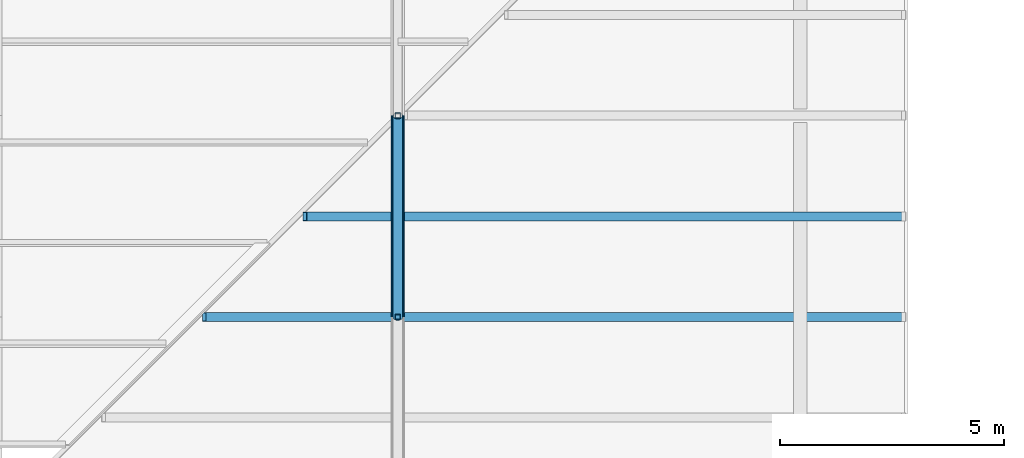
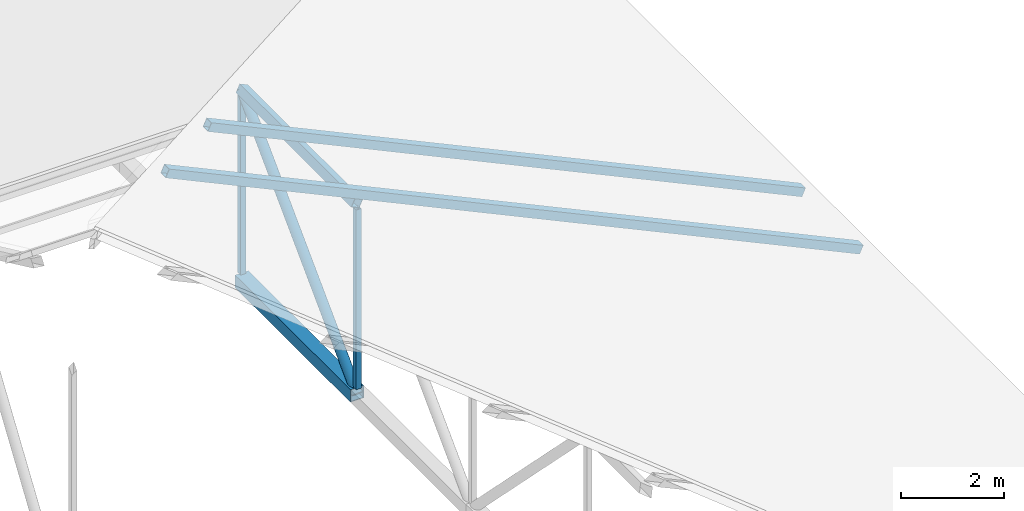
# One storey, part 74 of 154: 7 members.
"""IFC4 building model written with IfcOpenShell, lengths in metres."""

from ifc_helpers import new_model, si_unit, direction, frame, origin, origin_2d, place, context, subcontext, project, spatial, hollow_rectangle, hollow_circle, extrude, material, material_profile, profile_set, type_object, element, save


model = new_model("IFC4")

# Units and contexts
model_context = context("Model", 3, precision=1e-05, world=origin(), true_north=direction((0.0, 1.0)))
body_context = subcontext(model_context, "Body", "Model", "MODEL_VIEW")
ifc_project = project(units=[si_unit("LENGTHUNIT", "METRE"), si_unit("AREAUNIT", "SQUARE_METRE"), si_unit("VOLUMEUNIT", "CUBIC_METRE"), si_unit("PLANEANGLEUNIT", "RADIAN"), si_unit("MASSUNIT", "GRAM", prefix="KILO")], contexts=[model_context])

# Site, building, storey
site_placement = place(None, origin())
site = spatial("IfcSite", under=ifc_project, at=site_placement, CompositionType="ELEMENT")
building_placement = place(site_placement, origin())
building = spatial("IfcBuilding", under=site, at=building_placement, Name="Golden Quay Civic Hall", CompositionType="ELEMENT")
storey_placement = place(building_placement, frame((0.0, 0.0, 14.39990234375)))
storey = spatial("IfcBuildingStorey", under=building, at=storey_placement, Name="L03", CompositionType="ELEMENT", Elevation=14.39990234375)

# Members
ifc_material_1 = material(Name="Steel S355", Category="steel")
ifc_material_profile_1 = material_profile(ifc_material_1, hollow_rectangle(XDim=0.199951171875, YDim=0.199951171875, WallThickness=0.010009765625, at=origin_2d()), Name="SHS 200x200x10")
ifc_profile_set_1 = profile_set([ifc_material_profile_1], Name="Steel S355")
member_type_1 = type_object("IfcMemberType", Name="Steel jack rafter SHS 200x200x10", PredefinedType="RAFTER", material=ifc_profile_set_1)
member_1_placement = place(storey_placement, frame((173.300048828125, 85.5, -0.56787109375), z_axis=(-0.906311530238, 0.0, 0.422610234326), x_axis=(0.0, -1.0, 0.0)))
element("IfcMember", 1, at=member_1_placement, inside=storey, type_object=member_type_1, Name="Jack rafter east 10 L03", PredefinedType="RAFTER", context=body_context, shape_type="SweptSolid", body=[
    extrude(hollow_rectangle(XDim=0.199951171875, YDim=0.199951171875, WallThickness=0.010009765625, at=origin_2d()), origin(), (0.0, 0.0, 1.0), 17.240234375),
])
member_2_placement = place(storey_placement, frame((173.300048828125, 87.75, -0.56787109375), z_axis=(-0.906309046368, 0.0, 0.422615561086), x_axis=(0.0, -1.0, 0.0)))
element("IfcMember", 2, at=member_2_placement, inside=storey, type_object=member_type_1, Name="Jack rafter east 11 L03", PredefinedType="RAFTER", context=body_context, shape_type="SweptSolid", body=[
    extrude(hollow_rectangle(XDim=0.199951171875, YDim=0.199951171875, WallThickness=0.010009765625, at=origin_2d()), origin(), (0.0, 0.0, 1.0), 14.757568359375),
])
ifc_material_2 = material(Name="Steel S355", Category="steel")
ifc_material_profile_2 = material_profile(ifc_material_2, hollow_rectangle(XDim=0.300048828125, YDim=0.300048828125, WallThickness=0.01611328125, at=origin_2d()), Name="SHS 300x300x16")
ifc_profile_set_2 = profile_set([ifc_material_profile_2], Name="Steel S355")
member_type_2 = type_object("IfcMemberType", Name="Steel truss bottom chord SHS 300x300x16", PredefinedType="USERDEFINED", material=ifc_profile_set_2)
member_3_placement = place(storey_placement, frame((162.0, 85.5, -0.099853515625), z_axis=(0.0, 1.0, 0.0), x_axis=(-1.0, 0.0, 0.0)))
element("IfcMember", 3, at=member_3_placement, inside=storey, type_object=member_type_2, Name="Truss 162 bottom chord 6 L03", ObjectType="TRUSS BOTTOM CHORD", PredefinedType="USERDEFINED", context=body_context, shape_type="SweptSolid", body=[
    extrude(hollow_rectangle(XDim=0.300048828125, YDim=0.300048828125, WallThickness=0.01611328125, at=origin_2d()), origin(), (0.0, 0.0, 1.0), 4.5),
])
ifc_material_3 = material(Name="Steel S355", Category="steel")
ifc_material_profile_3 = material_profile(ifc_material_3, hollow_circle(Radius=0.109619140625, WallThickness=0.010009765625, at=origin_2d()), Name="CHS 219.1x10")
ifc_profile_set_3 = profile_set([ifc_material_profile_3], Name="Steel S355")
member_type_3 = type_object("IfcMemberType", Name="Steel truss diagonal CHS 219.1x10", PredefinedType="BRACE", material=ifc_profile_set_3)
member_4_placement = place(storey_placement, frame((162.0, 85.5, -0.099853515625), z_axis=(0.0, 0.704254536807, 0.709947566646), x_axis=(-1.0, 0.0, 0.0)))
element("IfcMember", 4, at=member_4_placement, inside=storey, type_object=member_type_3, Name="Truss 162 diagonal 6 L03", PredefinedType="BRACE", context=body_context, shape_type="SweptSolid", body=[
    extrude(hollow_circle(Radius=0.109619140625, WallThickness=0.010009765625, at=origin_2d()), origin(), (0.0, 0.0, 1.0), 6.3896484375),
])
ifc_material_4 = material(Name="Steel S355", Category="steel")
ifc_material_profile_4 = material_profile(ifc_material_4, hollow_rectangle(XDim=0.1201171875, YDim=0.1201171875, WallThickness=0.008056640625, at=origin_2d()), Name="SHS 120x120x8")
ifc_profile_set_4 = profile_set([ifc_material_profile_4], Name="Steel S355")
member_type_4 = type_object("IfcMemberType", Name="Steel truss post SHS 120x120x8", PredefinedType="USERDEFINED", material=ifc_profile_set_4)
for number, where, z_axis, x_axis, name in (
    (5, (162.0, 85.5, 0.050048828125), (0.0, 0.0, 1.0), (1.0, 0.0, 0.0), "Truss 162 post 6 L03"),
    (6, (162.0, 90.0, 0.050048828125), (0.0, 0.0, 1.0), (1.0, 0.0, 0.0), "Truss 162 post 7 L03"),
):
    element("IfcMember", number, at=place(storey_placement, frame(where, z_axis=z_axis, x_axis=x_axis)), inside=storey, type_object=member_type_4, Name=name, ObjectType="TRUSS POST", PredefinedType="USERDEFINED", context=body_context, shape_type="SweptSolid", body=[
        extrude(hollow_rectangle(XDim=0.1201171875, YDim=0.1201171875, WallThickness=0.008056640625, at=origin_2d()), origin(), (0.0, 0.0, 1.0), 4.276123046875),
    ])
ifc_material_5 = material(Name="Steel S355", Category="steel")
ifc_material_profile_5 = material_profile(ifc_material_5, hollow_rectangle(XDim=0.199951171875, YDim=0.199951171875, WallThickness=0.010009765625, at=origin_2d()), Name="SHS 200x200x10")
ifc_profile_set_5 = profile_set([ifc_material_profile_5], Name="Steel S355")
member_type_5 = type_object("IfcMemberType", Name="Steel truss top chord SHS 200x200x10", PredefinedType="USERDEFINED", material=ifc_profile_set_5)
member_5_placement = place(storey_placement, frame((162.0, 85.5, 4.4365234375), z_axis=(0.0, 1.0, 0.0), x_axis=(-0.906307787037, 0.0, 0.422618261741)))
element("IfcMember", 7, at=member_5_placement, inside=storey, type_object=member_type_5, Name="Truss 162 top chord 7 L03", ObjectType="TRUSS TOP CHORD", PredefinedType="USERDEFINED", context=body_context, shape_type="SweptSolid", body=[
    extrude(hollow_rectangle(XDim=0.199951171875, YDim=0.199951171875, WallThickness=0.010009765625, at=origin_2d()), origin(), (0.0, 0.0, 1.0), 4.5),
])

save(model, "model.ifc")
